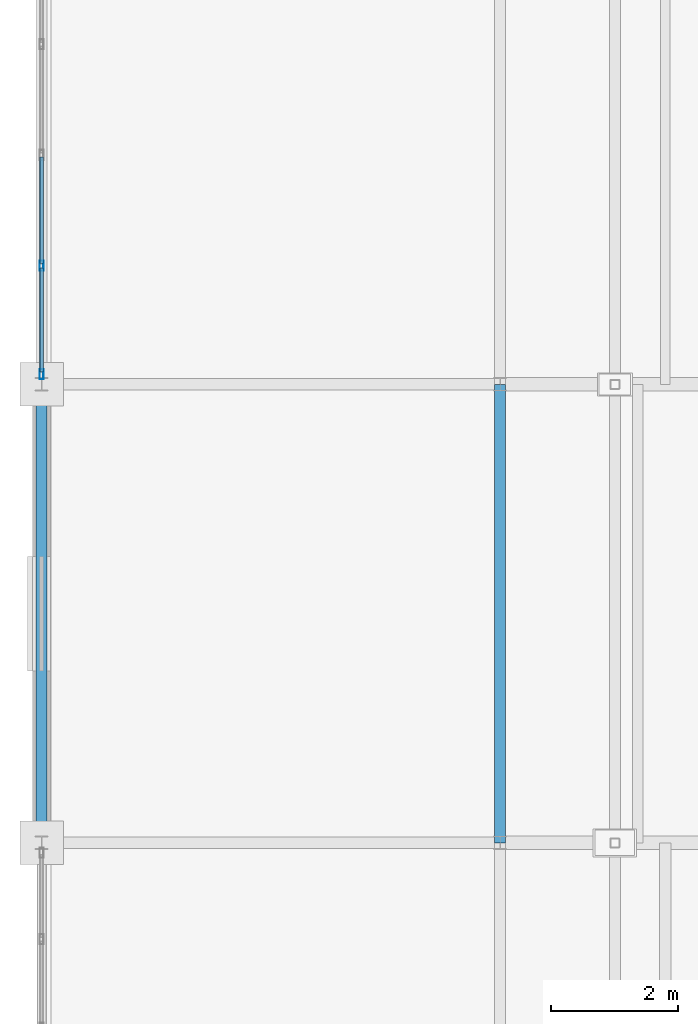
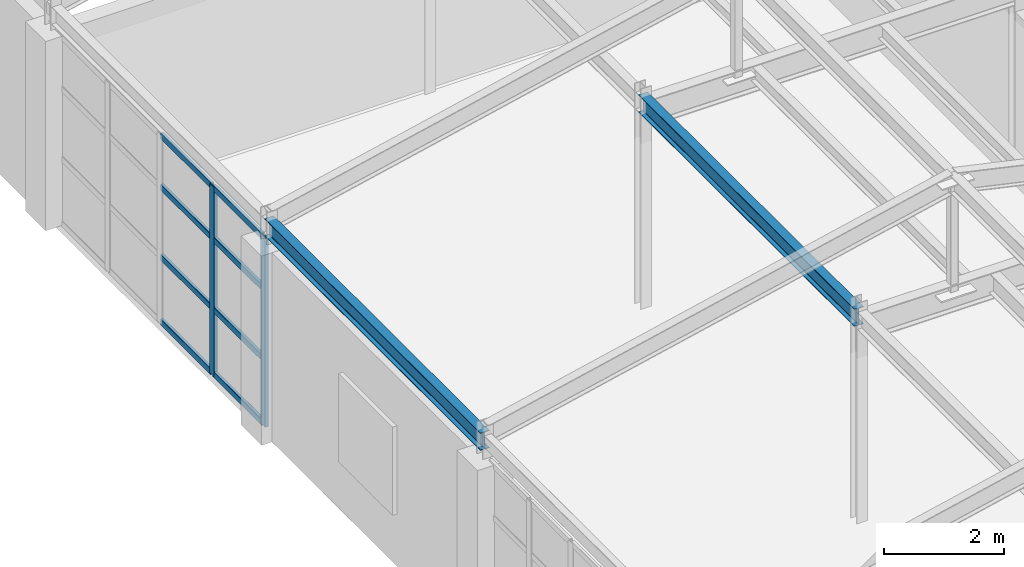
# One storey, part 23 of 43: 10 members, 2 beams, 1 element without a shape of its own.
"""IFC4 building model written with IfcOpenShell, lengths in metres."""

from ifc_helpers import new_model, si_unit, direction, frame, origin, origin_2d, place, context, subcontext, project, spatial, hollow_rectangle, i_section, extrude, material, layer, layer_set, material_profile, profile_set, type_object, element, aggregate, save


model = new_model("IFC4")

# Units and contexts
model_context = context("Model", 3, precision=1e-05, world=origin(), true_north=direction((0.0, 1.0)))
body_context = subcontext(model_context, "Body", "Model", "MODEL_VIEW")
ifc_project = project(units=[si_unit("LENGTHUNIT", "METRE"), si_unit("AREAUNIT", "SQUARE_METRE"), si_unit("VOLUMEUNIT", "CUBIC_METRE"), si_unit("PLANEANGLEUNIT", "RADIAN"), si_unit("MASSUNIT", "GRAM", prefix="KILO")], contexts=[model_context])

# Site, building, storey
site_placement = place(None, origin())
site = spatial("IfcSite", under=ifc_project, at=site_placement, CompositionType="ELEMENT")
building_placement = place(site_placement, origin())
building = spatial("IfcBuilding", under=site, at=building_placement, Name="Kemerveld Promenade Tramway Depot", CompositionType="ELEMENT")
storey_placement = place(building_placement, frame((0.0, 0.0, 18.89990234375)))
storey = spatial("IfcBuildingStorey", under=building, at=storey_placement, Name="L04", CompositionType="ELEMENT", Elevation=18.89990234375)

# Beams
ifc_material_1 = material(Name="Steel S355", Category="steel")
ifc_material_profile_1 = material_profile(ifc_material_1, i_section(OverallWidth=0.172119140625, OverallDepth=0.35791015625, WebThickness=0.008056640625, FlangeThickness=0.012939453125, FilletRadius=0.01025390625, at=origin_2d()), Name="356x171x57 UB")
ifc_profile_set_1 = profile_set([ifc_material_profile_1], Name="Steel S355")
beam_type = type_object("IfcBeamType", Name="BM-G08", PredefinedType="BEAM", material=ifc_profile_set_1)
for number, where, z_axis, x_axis, name in (
    (1, (0.0, 28.800048828125, 4.14111328125), (0.0, 1.0, 0.0), (-1.0, 0.0, 0.0), "BMY-L04-01-E-F"),
    (2, (7.199951171875, 28.800048828125, 4.14111328125), (0.0, 1.0, 0.0), (-1.0, 0.0, 0.0), "BMY-L04-02-E-F"),
):
    element("IfcBeam", number, at=place(storey_placement, frame(where, z_axis=z_axis, x_axis=x_axis)), inside=storey, type_object=beam_type, Name=name, PredefinedType="BEAM", context=body_context, shape_type="SweptSolid", body=[
        extrude(i_section(OverallWidth=0.172119140625, OverallDepth=0.35791015625, WebThickness=0.008056640625, FlangeThickness=0.012939453125, FilletRadius=0.01025390625, at=origin_2d()), origin(), (0.0, 0.0, 1.0), 7.199951171875),
    ])

# Curtain wall, members
ifc_material_2 = material(Name="Bronze anodised aluminium and solar glass", Category="aluminium")
ifc_layer = layer(ifc_material_2, 0.159912109375)
ifc_layer_set = layer_set([ifc_layer], Name="CW-SYS-09")
curtain_wall_type = type_object("IfcCurtainWallType", Name="CW-SYS-09", PredefinedType="USERDEFINED", material=ifc_layer_set)
curtain_wall_placement = place(storey_placement, origin())
curtain_wall = element("IfcCurtainWall", 3, at=curtain_wall_placement, inside=storey, type_object=curtain_wall_type, Name="CW-L04-V5W-06", ObjectType="GLAZED_CURTAIN_WALL", PredefinedType="USERDEFINED")
ifc_material_3 = material(Name="Bronze anodised aluminium", Category="aluminium")
ifc_material_profile_2 = material_profile(ifc_material_3, hollow_rectangle(XDim=0.06494140625, YDim=0.159912109375, WallThickness=0.00390625, InnerFilletRadius=0.001953125, OuterFilletRadius=0.00390625, at=origin_2d()), Name="CW-MUL-160x65")
ifc_profile_set_2 = profile_set([ifc_material_profile_2], Name="Bronze anodised aluminium")
member_type_1 = type_object("IfcMemberType", Name="CW-MUL-A", PredefinedType="MULLION", material=ifc_profile_set_2)
member_1_placement = place(storey_placement, frame((0.0, 36.1572265625, 0.0), z_axis=(0.0, 0.0, 1.0), x_axis=(-1.0, 0.0, 0.0)))
member_1 = element("IfcMember", 4, at=member_1_placement, type_object=member_type_1, Name="CW09 mullion 1", PredefinedType="MULLION", context=body_context, shape_type="SweptSolid", body=[
    extrude(hollow_rectangle(XDim=0.06494140625, YDim=0.159912109375, WallThickness=0.00390625, InnerFilletRadius=0.001953125, OuterFilletRadius=0.00390625, at=origin_2d()), origin(), (0.0, 0.0, 1.0), 3.85009765625),
])
member_2_placement = place(storey_placement, frame((0.0, 37.8623046875, 0.0), z_axis=(0.0, 0.0, 1.0), x_axis=(-1.0, 0.0, 0.0)))
member_2 = element("IfcMember", 5, at=member_2_placement, type_object=member_type_1, Name="CW09 mullion 2", PredefinedType="MULLION", context=body_context, shape_type="SweptSolid", body=[
    extrude(hollow_rectangle(XDim=0.06494140625, YDim=0.159912109375, WallThickness=0.00390625, InnerFilletRadius=0.001953125, OuterFilletRadius=0.00390625, at=origin_2d()), origin(), (0.0, 0.0, 1.0), 3.85009765625),
])
ifc_material_profile_3 = material_profile(ifc_material_3, hollow_rectangle(XDim=0.06005859375, YDim=0.1201171875, WallThickness=0.00390625, InnerFilletRadius=0.001953125, OuterFilletRadius=0.00390625, at=origin_2d()), Name="CW-TRN-120x60")
ifc_profile_set_3 = profile_set([ifc_material_profile_3], Name="Bronze anodised aluminium")
member_type_2 = type_object("IfcMemberType", Name="CW-TRN-A", PredefinedType="USERDEFINED", material=ifc_profile_set_3)
member_3_placement = place(storey_placement, frame((0.0, 36.189697265625, 0.030029296875), z_axis=(0.0, 1.0, 0.0), x_axis=(-1.0, 0.0, 0.0)))
member_3 = element("IfcMember", 6, at=member_3_placement, type_object=member_type_2, Name="CW09 transom 1.1", ObjectType="TRANSOM", PredefinedType="USERDEFINED", context=body_context, shape_type="SweptSolid", body=[
    extrude(hollow_rectangle(XDim=0.06005859375, YDim=0.1201171875, WallThickness=0.00390625, InnerFilletRadius=0.001953125, OuterFilletRadius=0.00390625, at=origin_2d()), origin(), (0.0, 0.0, 1.0), 1.64013671875),
])
member_4_placement = place(storey_placement, frame((0.0, 36.189697265625, 1.34716796875), z_axis=(0.0, 1.0, 0.0), x_axis=(-1.0, 0.0, 0.0)))
member_4 = element("IfcMember", 7, at=member_4_placement, type_object=member_type_2, Name="CW09 transom 1.2", ObjectType="TRANSOM", PredefinedType="USERDEFINED", context=body_context, shape_type="SweptSolid", body=[
    extrude(hollow_rectangle(XDim=0.06005859375, YDim=0.1201171875, WallThickness=0.00390625, InnerFilletRadius=0.001953125, OuterFilletRadius=0.00390625, at=origin_2d()), origin(), (0.0, 0.0, 1.0), 1.64013671875),
])
member_5_placement = place(storey_placement, frame((0.0, 36.189697265625, 2.772216796875), z_axis=(0.0, 1.0, 0.0), x_axis=(-1.0, 0.0, 0.0)))
member_5 = element("IfcMember", 8, at=member_5_placement, type_object=member_type_2, Name="CW09 transom 1.3", ObjectType="TRANSOM", PredefinedType="USERDEFINED", context=body_context, shape_type="SweptSolid", body=[
    extrude(hollow_rectangle(XDim=0.06005859375, YDim=0.1201171875, WallThickness=0.00390625, InnerFilletRadius=0.001953125, OuterFilletRadius=0.00390625, at=origin_2d()), origin(), (0.0, 0.0, 1.0), 1.64013671875),
])
member_6_placement = place(storey_placement, frame((0.0, 36.189697265625, 3.820068359375), z_axis=(0.0, 1.0, 0.0), x_axis=(-1.0, 0.0, 0.0)))
member_6 = element("IfcMember", 9, at=member_6_placement, type_object=member_type_2, Name="CW09 transom 1.4", ObjectType="TRANSOM", PredefinedType="USERDEFINED", context=body_context, shape_type="SweptSolid", body=[
    extrude(hollow_rectangle(XDim=0.06005859375, YDim=0.1201171875, WallThickness=0.00390625, InnerFilletRadius=0.001953125, OuterFilletRadius=0.00390625, at=origin_2d()), origin(), (0.0, 0.0, 1.0), 1.64013671875),
])
member_7_placement = place(storey_placement, frame((0.0, 37.89501953125, 0.030029296875), z_axis=(0.0, 1.0, 0.0), x_axis=(-1.0, 0.0, 0.0)))
member_7 = element("IfcMember", 10, at=member_7_placement, type_object=member_type_2, Name="CW09 transom 2.1", ObjectType="TRANSOM", PredefinedType="USERDEFINED", context=body_context, shape_type="SweptSolid", body=[
    extrude(hollow_rectangle(XDim=0.06005859375, YDim=0.1201171875, WallThickness=0.00390625, InnerFilletRadius=0.001953125, OuterFilletRadius=0.00390625, at=origin_2d()), origin(), (0.0, 0.0, 1.0), 1.67236328125),
])
member_8_placement = place(storey_placement, frame((0.0, 37.89501953125, 1.34716796875), z_axis=(0.0, 1.0, 0.0), x_axis=(-1.0, 0.0, 0.0)))
member_8 = element("IfcMember", 11, at=member_8_placement, type_object=member_type_2, Name="CW09 transom 2.2", ObjectType="TRANSOM", PredefinedType="USERDEFINED", context=body_context, shape_type="SweptSolid", body=[
    extrude(hollow_rectangle(XDim=0.06005859375, YDim=0.1201171875, WallThickness=0.00390625, InnerFilletRadius=0.001953125, OuterFilletRadius=0.00390625, at=origin_2d()), origin(), (0.0, 0.0, 1.0), 1.67236328125),
])
member_9_placement = place(storey_placement, frame((0.0, 37.89501953125, 2.772216796875), z_axis=(0.0, 1.0, 0.0), x_axis=(-1.0, 0.0, 0.0)))
member_9 = element("IfcMember", 12, at=member_9_placement, type_object=member_type_2, Name="CW09 transom 2.3", ObjectType="TRANSOM", PredefinedType="USERDEFINED", context=body_context, shape_type="SweptSolid", body=[
    extrude(hollow_rectangle(XDim=0.06005859375, YDim=0.1201171875, WallThickness=0.00390625, InnerFilletRadius=0.001953125, OuterFilletRadius=0.00390625, at=origin_2d()), origin(), (0.0, 0.0, 1.0), 1.67236328125),
])
member_10_placement = place(storey_placement, frame((0.0, 37.89501953125, 3.820068359375), z_axis=(0.0, 1.0, 0.0), x_axis=(-1.0, 0.0, 0.0)))
member_10 = element("IfcMember", 13, at=member_10_placement, type_object=member_type_2, Name="CW09 transom 2.4", ObjectType="TRANSOM", PredefinedType="USERDEFINED", context=body_context, shape_type="SweptSolid", body=[
    extrude(hollow_rectangle(XDim=0.06005859375, YDim=0.1201171875, WallThickness=0.00390625, InnerFilletRadius=0.001953125, OuterFilletRadius=0.00390625, at=origin_2d()), origin(), (0.0, 0.0, 1.0), 1.67236328125),
])
aggregate(curtain_wall, [member_1, member_2, member_3, member_4, member_5, member_6, member_7, member_8, member_9, member_10])

save(model, "model.ifc")
